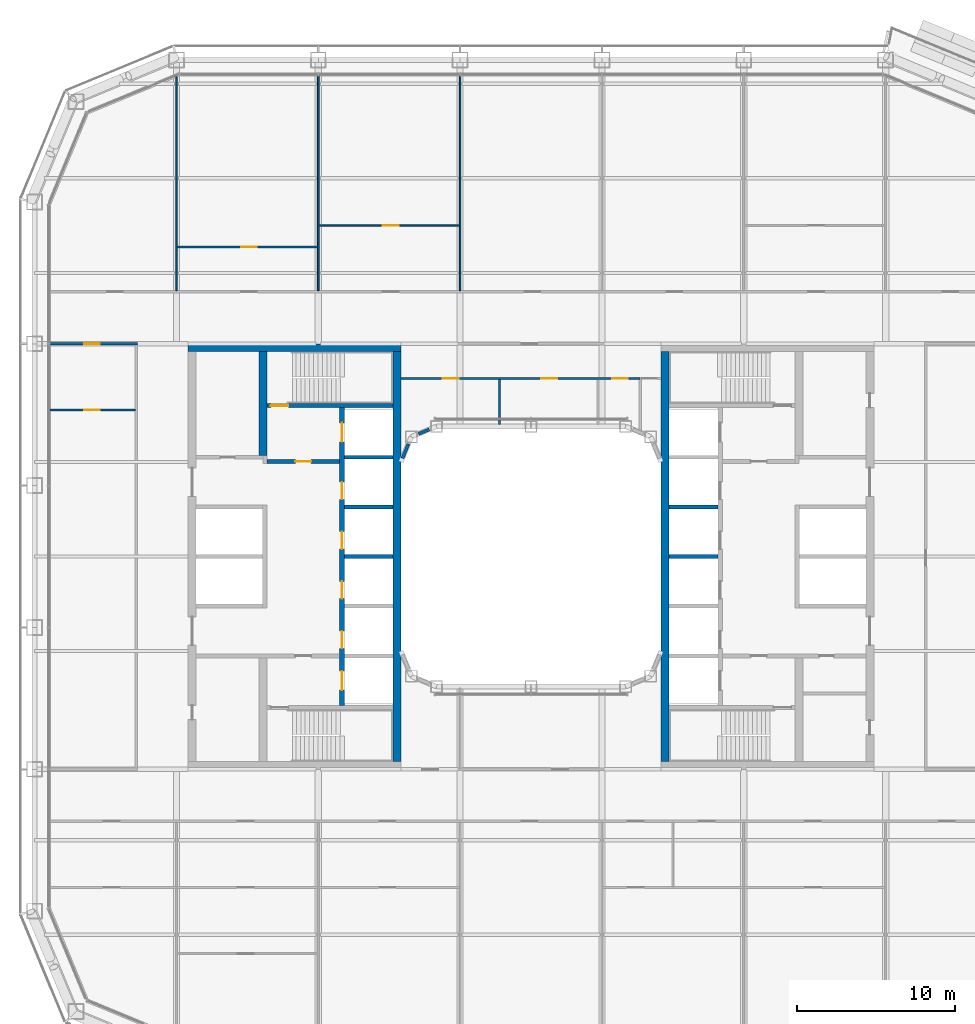
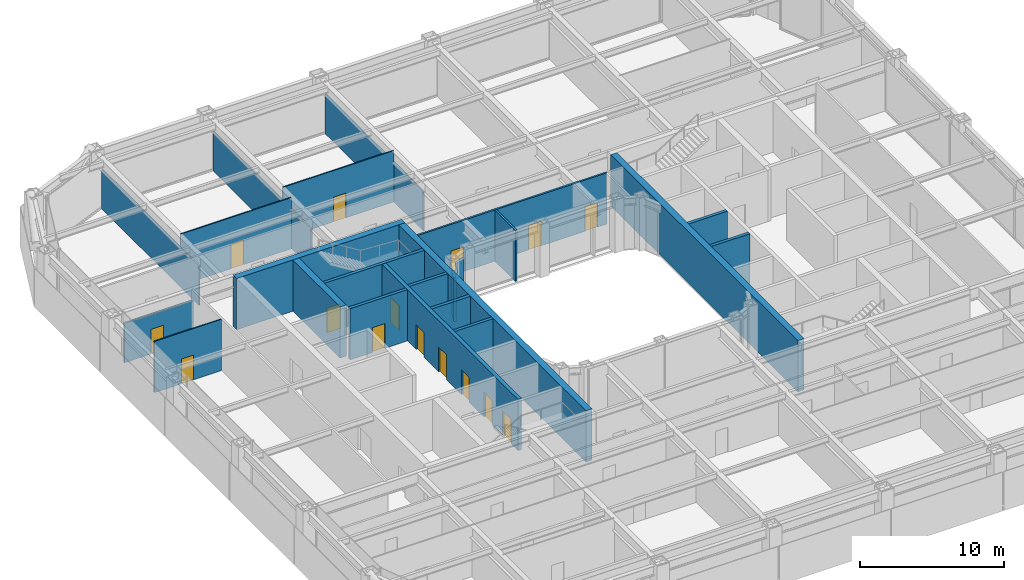
# One storey, part 14 of 30: 23 walls, 15 doors, 15 openings.
"""IFC4 building model written with IfcOpenShell, lengths in metres."""

from ifc_helpers import new_model, si_unit, direction, frame, frame_2d, origin, place, context, subcontext, project, spatial, rectangle, extrude, material, layer, layer_set, type_object, element, fill, save


model = new_model("IFC4")

# Units and contexts
model_context = context("Model", 3, precision=1e-05, world=origin(), true_north=direction((0.0, 1.0)))
body_context = subcontext(model_context, "Body", "Model", "MODEL_VIEW")
ifc_project = project(units=[si_unit("LENGTHUNIT", "METRE"), si_unit("AREAUNIT", "SQUARE_METRE"), si_unit("VOLUMEUNIT", "CUBIC_METRE"), si_unit("PLANEANGLEUNIT", "RADIAN"), si_unit("MASSUNIT", "GRAM", prefix="KILO")], contexts=[model_context])

# Site, building, storey
site_placement = place(None, origin())
site = spatial("IfcSite", under=ifc_project, at=site_placement, CompositionType="ELEMENT")
building_placement = place(site_placement, origin())
building = spatial("IfcBuilding", under=site, at=building_placement, Name="Siwar Civic Tower", CompositionType="ELEMENT")
storey_placement = place(building_placement, frame((0.0, 0.0, 80.699951171875)))
storey = spatial("IfcBuildingStorey", under=building, at=storey_placement, Name="L17", CompositionType="ELEMENT", Elevation=80.699951171875)

# Wall, opening, door
ifc_material_1 = material(Name="Concrete C60/75", Category="concrete")
ifc_layer_1 = layer(ifc_material_1, 0.25)
ifc_layer_set_1 = layer_set([ifc_layer_1], Name="Concrete C60/75")
wall_type_1 = type_object("IfcWallType", Name="CORE-WALL-RC250", PredefinedType="SHEAR", material=ifc_layer_set_1)
wall_1_placement = place(storey_placement, frame((-12.14990234375, 6.02490234375, 0.0), z_axis=(0.0, 0.0, 1.0), x_axis=(-1.0, 0.0, 0.0)))
wall_1 = element("IfcWall", 1, at=wall_1_placement, inside=storey, type_object=wall_type_1, Name="Core wall W", PredefinedType="SHEAR", context=body_context, shape_type="SweptSolid", body=[
    extrude(rectangle(XDim=4.60009765625, YDim=0.25, at=frame_2d((2.300048828125, 0.0))), origin(), (0.0, 0.0, 1.0), 4.35009765625),
])
opening_1_placement = place(wall_1_placement, frame((1.800048828125, 0.0, 0.0)))
opening_1 = element("IfcOpeningElement", 2, at=opening_1_placement, cuts=wall_1, Name="Opening L17-CW01", PredefinedType="OPENING", context=body_context, shape_type="SweptSolid", body=[
    extrude(rectangle(XDim=1.0, YDim=2.10009765625, at=frame_2d((0.5, 1.050048828125))), frame((0.0, 0.135009765625, 0.0), z_axis=(0.0, -1.0, 0.0), x_axis=(1.0, 0.0, 0.0)), (0.0, 0.0, 1.0), 0.27001953125),
])
ifc_material_2 = material(Name="Steel door leaf", Category="steel")
door_type_1 = type_object("IfcDoorType", Name="CORE-DOOR-FD30S", OperationType="SINGLE_SWING_LEFT", PredefinedType="DOOR", material=ifc_material_2)
door_1_placement = place(opening_1_placement, origin())
door_1 = element("IfcDoor", 3, at=door_1_placement, inside=storey, type_object=door_type_1, Name="Firefighting lobby door L17-CW01", OperationType="SINGLE_SWING_LEFT", OverallHeight=2.10009765625, OverallWidth=1.0, PredefinedType="DOOR", context=body_context, shape_type="SweptSolid", body=[
    extrude(rectangle(XDim=1.0, YDim=2.10009765625, at=frame_2d((0.5, 1.050048828125))), frame((0.0, 0.02490234375, 0.0), z_axis=(0.0, -1.0, 0.0), x_axis=(1.0, 0.0, 0.0)), (0.0, 0.0, 1.0), 0.050048828125),
])
fill(opening_1, door_1)

# Walls
for number, where, z_axis, x_axis, name in (
    (4, (-8.75, 0.0, 0.0), (0.0, 0.0, 1.0), (-1.0, 0.0, 0.0), "Core wall W"),
    (5, (-8.75, 3.14990234375, 0.0), (0.0, 0.0, 1.0), (-1.0, 0.0, 0.0), "Core wall W"),
    (6, (-8.75, 6.300048828125, 0.0), (0.0, 0.0, 1.0), (-1.0, 0.0, 0.0), "Core wall W"),
):
    element("IfcWall", number, at=place(storey_placement, frame(where, z_axis=z_axis, x_axis=x_axis)), inside=storey, type_object=wall_type_1, Name=name, PredefinedType="SHEAR", context=body_context, shape_type="SweptSolid", body=[
        extrude(rectangle(XDim=3.10009765625, YDim=0.25, at=frame_2d((1.550048828125, 0.0))), origin(), (0.0, 0.0, 1.0), 4.35009765625),
    ])

# Wall, opening, door
wall_2_placement = place(storey_placement, frame((-8.75, 9.574951171875, 0.0), z_axis=(0.0, 0.0, 1.0), x_axis=(-1.0, 0.0, 0.0)))
wall_2 = element("IfcWall", 7, at=wall_2_placement, inside=storey, type_object=wall_type_1, Name="Core wall W", PredefinedType="SHEAR", context=body_context, shape_type="SweptSolid", body=[
    extrude(rectangle(XDim=8.0, YDim=0.25, at=frame_2d((4.0, 0.0))), origin(), (0.0, 0.0, 1.0), 4.35009765625),
])
opening_2_placement = place(wall_2_placement, frame((6.64990234375, 0.0, 0.0)))
opening_2 = element("IfcOpeningElement", 8, at=opening_2_placement, cuts=wall_2, Name="Opening L17-CW03", PredefinedType="OPENING", context=body_context, shape_type="SweptSolid", body=[
    extrude(rectangle(XDim=1.10009765625, YDim=2.10009765625, at=frame_2d((0.550048828125, 1.050048828125))), frame((0.0, 0.135009765625, 0.0), z_axis=(0.0, -1.0, 0.0), x_axis=(1.0, 0.0, 0.0)), (0.0, 0.0, 1.0), 0.27001953125),
])
ifc_material_3 = material(Name="Steel door leaf", Category="steel")
door_type_2 = type_object("IfcDoorType", Name="CORE-DOOR-FD60S", OperationType="SINGLE_SWING_LEFT", PredefinedType="DOOR", material=ifc_material_3)
door_2_placement = place(opening_2_placement, origin())
door_2 = element("IfcDoor", 9, at=door_2_placement, inside=storey, type_object=door_type_2, Name="Stair door L17-CW03", OperationType="SINGLE_SWING_RIGHT", OverallHeight=2.10009765625, OverallWidth=1.10009765625, PredefinedType="DOOR", context=body_context, shape_type="SweptSolid", body=[
    extrude(rectangle(XDim=1.10009765625, YDim=2.10009765625, at=frame_2d((0.550048828125, 1.050048828125))), frame((0.0, 0.02490234375, 0.0), z_axis=(0.0, -1.0, 0.0), x_axis=(1.0, 0.0, 0.0)), (0.0, 0.0, 1.0), 0.050048828125),
])
fill(opening_2, door_2)

# Walls
for number, where, z_axis, x_axis, name in (
    (10, (8.75, 0.0, 0.0), (0.0, 0.0, 1.0), (1.0, 0.0, 0.0), "Core wall E"),
    (11, (8.75, 3.14990234375, 0.0), (0.0, 0.0, 1.0), (1.0, 0.0, 0.0), "Core wall E"),
):
    element("IfcWall", number, at=place(storey_placement, frame(where, z_axis=z_axis, x_axis=x_axis)), inside=storey, type_object=wall_type_1, Name=name, PredefinedType="SHEAR", context=body_context, shape_type="SweptSolid", body=[
        extrude(rectangle(XDim=3.10009765625, YDim=0.25, at=frame_2d((1.550048828125, 0.0))), origin(), (0.0, 0.0, 1.0), 4.35009765625),
    ])

# Wall, openings, doors
ifc_material_4 = material(Name="Concrete C60/75", Category="concrete")
ifc_layer_2 = layer(ifc_material_4, 0.300048828125)
ifc_layer_set_2 = layer_set([ifc_layer_2], Name="Concrete C60/75")
wall_type_2 = type_object("IfcWallType", Name="CORE-WALL-RC300", PredefinedType="SHEAR", material=ifc_layer_set_2)
wall_3_placement = place(storey_placement, frame((-12.0, -9.449951171875, 0.0), z_axis=(0.0, 0.0, 1.0), x_axis=(0.0, 1.0, 0.0)))
wall_3 = element("IfcWall", 12, at=wall_3_placement, inside=storey, type_object=wall_type_2, Name="Core wall W", PredefinedType="SHEAR", context=body_context, shape_type="SweptSolid", body=[
    extrude(rectangle(XDim=18.89990234375, YDim=0.300048828125, at=frame_2d((9.449951171875, 0.0))), origin(), (0.0, 0.0, 1.0), 4.35009765625),
])
opening_3_placement = place(wall_3_placement, frame((3.625, 0.0, 0.0)))
opening_3 = element("IfcOpeningElement", 13, at=opening_3_placement, cuts=wall_3, Name="Opening L17-CW07", PredefinedType="OPENING", context=body_context, shape_type="SweptSolid", body=[
    extrude(rectangle(XDim=1.10009765625, YDim=2.10009765625, at=frame_2d((0.550048828125, 1.050048828125))), frame((0.0, 0.16015625, 0.0), z_axis=(0.0, -1.0, 0.0), x_axis=(1.0, 0.0, 0.0)), (0.0, 0.0, 1.0), 0.320068359375),
])
opening_4_placement = place(wall_3_placement, frame((6.77490234375, 0.0, 0.0)))
opening_4 = element("IfcOpeningElement", 14, at=opening_4_placement, cuts=wall_3, Name="Opening L17-CW08", PredefinedType="OPENING", context=body_context, shape_type="SweptSolid", body=[
    extrude(rectangle(XDim=1.10009765625, YDim=2.10009765625, at=frame_2d((0.550048828125, 1.050048828125))), frame((0.0, 0.16015625, 0.0), z_axis=(0.0, -1.0, 0.0), x_axis=(1.0, 0.0, 0.0)), (0.0, 0.0, 1.0), 0.320068359375),
])
opening_5_placement = place(wall_3_placement, frame((9.925048828125, 0.0, 0.0)))
opening_5 = element("IfcOpeningElement", 15, at=opening_5_placement, cuts=wall_3, Name="Opening L17-CW09", PredefinedType="OPENING", context=body_context, shape_type="SweptSolid", body=[
    extrude(rectangle(XDim=1.10009765625, YDim=2.10009765625, at=frame_2d((0.550048828125, 1.050048828125))), frame((0.0, 0.16015625, 0.0), z_axis=(0.0, -1.0, 0.0), x_axis=(1.0, 0.0, 0.0)), (0.0, 0.0, 1.0), 0.320068359375),
])
opening_6_placement = place(wall_3_placement, frame((13.074951171875, 0.0, 0.0)))
opening_6 = element("IfcOpeningElement", 16, at=opening_6_placement, cuts=wall_3, Name="Opening L17-CW10", PredefinedType="OPENING", context=body_context, shape_type="SweptSolid", body=[
    extrude(rectangle(XDim=1.10009765625, YDim=2.10009765625, at=frame_2d((0.550048828125, 1.050048828125))), frame((0.0, 0.16015625, 0.0), z_axis=(0.0, -1.0, 0.0), x_axis=(1.0, 0.0, 0.0)), (0.0, 0.0, 1.0), 0.320068359375),
])
opening_7_placement = place(wall_3_placement, frame((16.72509765625, 0.0, 0.0)))
opening_7 = element("IfcOpeningElement", 17, at=opening_7_placement, cuts=wall_3, Name="Opening L17-CW11", PredefinedType="OPENING", context=body_context, shape_type="SweptSolid", body=[
    extrude(rectangle(XDim=1.199951171875, YDim=2.10009765625, at=frame_2d((0.60009765625, 1.050048828125))), frame((0.0, 0.16015625, 0.0), z_axis=(0.0, -1.0, 0.0), x_axis=(1.0, 0.0, 0.0)), (0.0, 0.0, 1.0), 0.320068359375),
])
opening_8_placement = place(wall_3_placement, frame((0.97509765625, 0.0, 0.0)))
opening_8 = element("IfcOpeningElement", 18, at=opening_8_placement, cuts=wall_3, Name="Opening L17-CW12", PredefinedType="OPENING", context=body_context, shape_type="SweptSolid", body=[
    extrude(rectangle(XDim=1.199951171875, YDim=2.10009765625, at=frame_2d((0.60009765625, 1.050048828125))), frame((0.0, 0.16015625, 0.0), z_axis=(0.0, -1.0, 0.0), x_axis=(1.0, 0.0, 0.0)), (0.0, 0.0, 1.0), 0.320068359375),
])
ifc_material_5 = material(Name="Steel door leaf", Category="steel")
door_type_3 = type_object("IfcDoorType", Name="CORE-DOOR-LD", OperationType="DOUBLE_DOOR_SLIDING", PredefinedType="DOOR", material=ifc_material_5)
door_3_placement = place(opening_3_placement, origin())
door_3 = element("IfcDoor", 19, at=door_3_placement, inside=storey, type_object=door_type_3, Name="Landing door LR1 L17-CW07", OperationType="DOUBLE_DOOR_SLIDING", OverallHeight=2.10009765625, OverallWidth=1.10009765625, PredefinedType="DOOR", context=body_context, shape_type="SweptSolid", body=[
    extrude(rectangle(XDim=1.10009765625, YDim=2.10009765625, at=frame_2d((0.550048828125, 1.050048828125))), frame((0.0, 0.02490234375, 0.0), z_axis=(0.0, -1.0, 0.0), x_axis=(1.0, 0.0, 0.0)), (0.0, 0.0, 1.0), 0.050048828125),
])
fill(opening_3, door_3)
door_4_placement = place(opening_4_placement, origin())
door_4 = element("IfcDoor", 20, at=door_4_placement, inside=storey, type_object=door_type_3, Name="Landing door LR2 L17-CW08", OperationType="DOUBLE_DOOR_SLIDING", OverallHeight=2.10009765625, OverallWidth=1.10009765625, PredefinedType="DOOR", context=body_context, shape_type="SweptSolid", body=[
    extrude(rectangle(XDim=1.10009765625, YDim=2.10009765625, at=frame_2d((0.550048828125, 1.050048828125))), frame((0.0, 0.02490234375, 0.0), z_axis=(0.0, -1.0, 0.0), x_axis=(1.0, 0.0, 0.0)), (0.0, 0.0, 1.0), 0.050048828125),
])
fill(opening_4, door_4)
door_5_placement = place(opening_5_placement, origin())
door_5 = element("IfcDoor", 21, at=door_5_placement, inside=storey, type_object=door_type_3, Name="Landing door LR3 L17-CW09", OperationType="DOUBLE_DOOR_SLIDING", OverallHeight=2.10009765625, OverallWidth=1.10009765625, PredefinedType="DOOR", context=body_context, shape_type="SweptSolid", body=[
    extrude(rectangle(XDim=1.10009765625, YDim=2.10009765625, at=frame_2d((0.550048828125, 1.050048828125))), frame((0.0, 0.02490234375, 0.0), z_axis=(0.0, -1.0, 0.0), x_axis=(1.0, 0.0, 0.0)), (0.0, 0.0, 1.0), 0.050048828125),
])
fill(opening_5, door_5)
door_6_placement = place(opening_6_placement, origin())
door_6 = element("IfcDoor", 22, at=door_6_placement, inside=storey, type_object=door_type_3, Name="Landing door LR4 L17-CW10", OperationType="DOUBLE_DOOR_SLIDING", OverallHeight=2.10009765625, OverallWidth=1.10009765625, PredefinedType="DOOR", context=body_context, shape_type="SweptSolid", body=[
    extrude(rectangle(XDim=1.10009765625, YDim=2.10009765625, at=frame_2d((0.550048828125, 1.050048828125))), frame((0.0, 0.02490234375, 0.0), z_axis=(0.0, -1.0, 0.0), x_axis=(1.0, 0.0, 0.0)), (0.0, 0.0, 1.0), 0.050048828125),
])
fill(opening_6, door_6)
ifc_material_6 = material(Name="Steel door leaf", Category="steel")
door_type_4 = type_object("IfcDoorType", Name="CORE-DOOR-LDW", OperationType="DOUBLE_DOOR_SLIDING", PredefinedType="DOOR", material=ifc_material_6)
door_7_placement = place(opening_7_placement, origin())
door_7 = element("IfcDoor", 23, at=door_7_placement, inside=storey, type_object=door_type_4, Name="Landing door FF1 L17-CW11", OperationType="DOUBLE_DOOR_SLIDING", OverallHeight=2.10009765625, OverallWidth=1.199951171875, PredefinedType="DOOR", context=body_context, shape_type="SweptSolid", body=[
    extrude(rectangle(XDim=1.199951171875, YDim=2.10009765625, at=frame_2d((0.60009765625, 1.050048828125))), frame((0.0, 0.02490234375, 0.0), z_axis=(0.0, -1.0, 0.0), x_axis=(1.0, 0.0, 0.0)), (0.0, 0.0, 1.0), 0.050048828125),
])
fill(opening_7, door_7)
door_8_placement = place(opening_8_placement, origin())
door_8 = element("IfcDoor", 24, at=door_8_placement, inside=storey, type_object=door_type_4, Name="Landing door SV1 L17-CW12", OperationType="DOUBLE_DOOR_SLIDING", OverallHeight=2.10009765625, OverallWidth=1.199951171875, PredefinedType="DOOR", context=body_context, shape_type="SweptSolid", body=[
    extrude(rectangle(XDim=1.199951171875, YDim=2.10009765625, at=frame_2d((0.60009765625, 1.050048828125))), frame((0.0, 0.02490234375, 0.0), z_axis=(0.0, -1.0, 0.0), x_axis=(1.0, 0.0, 0.0)), (0.0, 0.0, 1.0), 0.050048828125),
])
fill(opening_8, door_8)

# Walls
ifc_material_7 = material(Name="Concrete C60/75", Category="concrete")
ifc_layer_3 = layer(ifc_material_7, 0.5)
ifc_layer_set_3 = layer_set([ifc_layer_3], Name="Concrete C60/75")
wall_type_3 = type_object("IfcWallType", Name="CORE-WALL-RC500", PredefinedType="SHEAR", material=ifc_layer_set_3)
wall_4_placement = place(storey_placement, frame((-17.0, 6.425048828125, 0.0), z_axis=(0.0, 0.0, 1.0), x_axis=(0.0, 1.0, 0.0)))
element("IfcWall", 25, at=wall_4_placement, inside=storey, type_object=wall_type_3, Name="Core wall W", PredefinedType="SHEAR", context=body_context, shape_type="SweptSolid", body=[
    extrude(rectangle(XDim=6.574951171875, YDim=0.5, at=frame_2d((3.28759765625, 0.0))), origin(), (0.0, 0.0, 1.0), 4.35009765625),
])
wall_5_placement = place(storey_placement, frame((-8.25, 13.25, 0.0), z_axis=(0.0, 0.0, 1.0), x_axis=(-1.0, 0.0, 0.0)))
element("IfcWall", 26, at=wall_5_placement, inside=storey, type_object=wall_type_3, Name="Core wall W", PredefinedType="SHEAR", context=body_context, shape_type="SweptSolid", body=[
    extrude(rectangle(XDim=13.5, YDim=0.5, at=frame_2d((6.75, 0.0))), origin(), (0.0, 0.0, 1.0), 4.35009765625),
])
ifc_material_8 = material(Name="Concrete C60/75", Category="concrete")
ifc_layer_4 = layer(ifc_material_8, 0.5)
ifc_layer_set_4 = layer_set([ifc_layer_4], Name="Concrete C60/75")
wall_type_4 = type_object("IfcWallType", Name="CORE-WALL-RC500-EXT", PredefinedType="SHEAR", material=ifc_layer_set_4)
for number, where, z_axis, x_axis, name in (
    (27, (-8.5, -13.0, 0.0), (0.0, 0.0, 1.0), (0.0, 1.0, 0.0), "Core wall W"),
    (28, (8.5, -13.0, 0.0), (0.0, 0.0, 1.0), (0.0, 1.0, 0.0), "Core wall E"),
):
    element("IfcWall", number, at=place(storey_placement, frame(where, z_axis=z_axis, x_axis=x_axis)), inside=storey, type_object=wall_type_4, Name=name, PredefinedType="SHEAR", context=body_context, shape_type="SweptSolid", body=[
        extrude(rectangle(XDim=26.0, YDim=0.5, at=frame_2d((13.0, 0.0))), origin(), (0.0, 0.0, 1.0), 4.35009765625),
    ])

# Wall, openings, doors
ifc_material_9 = material(Name="Gypsum board on steel studs", Category="steel")
ifc_layer_5 = layer(ifc_material_9, 0.14990234375)
ifc_layer_set_5 = layer_set([ifc_layer_5], Name="Gypsum board on steel studs")
wall_type_5 = type_object("IfcWallType", Name="CORRIDOR PARTITION 150 EI 30", PredefinedType="PARTITIONING", material=ifc_layer_set_5)
wall_6_placement = place(storey_placement, frame((-8.25, 11.300048828125, 0.0), z_axis=(0.0, 0.0, 1.0), x_axis=(1.0, 0.0, 0.0)))
wall_6 = element("IfcWall", 29, at=wall_6_placement, inside=storey, type_object=wall_type_5, Name="L17/wall/P09", PredefinedType="PARTITIONING", context=body_context, shape_type="SweptSolid", body=[
    extrude(rectangle(XDim=15.169921875, YDim=0.14990234375, at=frame_2d((7.5849609375, 0.0))), origin(), (0.0, 0.0, 1.0), 4.35009765625),
])
opening_9_placement = place(wall_6_placement, frame((2.64990234375, 0.0, 0.0)))
opening_9 = element("IfcOpeningElement", 30, at=opening_9_placement, cuts=wall_6, Name="Opening D3", PredefinedType="OPENING", context=body_context, shape_type="SweptSolid", body=[
    extrude(rectangle(XDim=1.0, YDim=2.10009765625, at=frame_2d((0.5, 1.050048828125))), frame((0.0, 0.0849609375, 0.0), z_axis=(0.0, -1.0, 0.0), x_axis=(1.0, 0.0, 0.0)), (0.0, 0.0, 1.0), 0.169921875),
])
opening_10_placement = place(wall_6_placement, frame((8.89990234375, 0.0, 0.0)))
opening_10 = element("IfcOpeningElement", 31, at=opening_10_placement, cuts=wall_6, Name="Opening D3", PredefinedType="OPENING", context=body_context, shape_type="SweptSolid", body=[
    extrude(rectangle(XDim=1.0, YDim=2.10009765625, at=frame_2d((0.5, 1.050048828125))), frame((0.0, 0.0849609375, 0.0), z_axis=(0.0, -1.0, 0.0), x_axis=(1.0, 0.0, 0.0)), (0.0, 0.0, 1.0), 0.169921875),
])
opening_11_placement = place(wall_6_placement, frame((13.39990234375, 0.0, 0.0)))
opening_11 = element("IfcOpeningElement", 32, at=opening_11_placement, cuts=wall_6, Name="Opening D3", PredefinedType="OPENING", context=body_context, shape_type="SweptSolid", body=[
    extrude(rectangle(XDim=1.0, YDim=2.10009765625, at=frame_2d((0.5, 1.050048828125))), frame((0.0, 0.0849609375, 0.0), z_axis=(0.0, -1.0, 0.0), x_axis=(1.0, 0.0, 0.0)), (0.0, 0.0, 1.0), 0.169921875),
])
ifc_material_10 = material(Name="Timber, painted", Category="wood")
door_type_5 = type_object("IfcDoorType", Name="DOOR 1000 X 2100 WC", OperationType="SINGLE_SWING_LEFT", PredefinedType="DOOR", material=ifc_material_10)
door_9_placement = place(opening_9_placement, origin())
door_9 = element("IfcDoor", 33, at=door_9_placement, inside=storey, type_object=door_type_5, Name="L17-D29", OperationType="SINGLE_SWING_LEFT", OverallHeight=2.10009765625, OverallWidth=1.0, PredefinedType="DOOR", context=body_context, shape_type="SweptSolid", body=[
    extrude(rectangle(XDim=1.0, YDim=2.10009765625, at=frame_2d((0.5, 1.050048828125))), frame((0.0, 0.02490234375, 0.0), z_axis=(0.0, -1.0, 0.0), x_axis=(1.0, 0.0, 0.0)), (0.0, 0.0, 1.0), 0.050048828125),
])
fill(opening_9, door_9)
door_10_placement = place(opening_10_placement, origin())
door_10 = element("IfcDoor", 34, at=door_10_placement, inside=storey, type_object=door_type_5, Name="L17-D30", OperationType="SINGLE_SWING_RIGHT", OverallHeight=2.10009765625, OverallWidth=1.0, PredefinedType="DOOR", context=body_context, shape_type="SweptSolid", body=[
    extrude(rectangle(XDim=1.0, YDim=2.10009765625, at=frame_2d((0.5, 1.050048828125))), frame((0.0, 0.02490234375, 0.0), z_axis=(0.0, -1.0, 0.0), x_axis=(1.0, 0.0, 0.0)), (0.0, 0.0, 1.0), 0.050048828125),
])
fill(opening_10, door_10)
door_11_placement = place(opening_11_placement, origin())
door_11 = element("IfcDoor", 35, at=door_11_placement, inside=storey, type_object=door_type_5, Name="L17-D31", OperationType="SINGLE_SWING_LEFT", OverallHeight=2.10009765625, OverallWidth=1.0, PredefinedType="DOOR", context=body_context, shape_type="SweptSolid", body=[
    extrude(rectangle(XDim=1.0, YDim=2.10009765625, at=frame_2d((0.5, 1.050048828125))), frame((0.0, 0.02490234375, 0.0), z_axis=(0.0, -1.0, 0.0), x_axis=(1.0, 0.0, 0.0)), (0.0, 0.0, 1.0), 0.050048828125),
])
fill(opening_11, door_11)

# Wall, opening, door
wall_7_placement = place(storey_placement, frame((-30.510009765625, 13.5, 0.0), z_axis=(0.0, 0.0, 1.0), x_axis=(1.0, 0.0, 0.0)))
wall_7 = element("IfcWall", 36, at=wall_7_placement, inside=storey, type_object=wall_type_5, Name="L17/wall/P11", PredefinedType="PARTITIONING", context=body_context, shape_type="SweptSolid", body=[
    extrude(rectangle(XDim=5.534912109375, YDim=0.14990234375, at=frame_2d((2.767578125, 0.0))), origin(), (0.0, 0.0, 1.0), 3.35009765625),
])
opening_12_placement = place(wall_7_placement, frame((2.14990234375, 0.0, 0.0)))
opening_12 = element("IfcOpeningElement", 37, at=opening_12_placement, cuts=wall_7, Name="Opening D1", PredefinedType="OPENING", context=body_context, shape_type="SweptSolid", body=[
    extrude(rectangle(XDim=1.0, YDim=2.10009765625, at=frame_2d((0.5, 1.050048828125))), frame((0.0, 0.0849609375, 0.0), z_axis=(0.0, -1.0, 0.0), x_axis=(1.0, 0.0, 0.0)), (0.0, 0.0, 1.0), 0.169921875),
])
ifc_material_11 = material(Name="Timber, painted", Category="wood")
door_type_6 = type_object("IfcDoorType", Name="DOOR 1000 X 2100 FD30", OperationType="SINGLE_SWING_LEFT", PredefinedType="DOOR", material=ifc_material_11)
door_12_placement = place(opening_12_placement, origin())
door_12 = element("IfcDoor", 38, at=door_12_placement, inside=storey, type_object=door_type_6, Name="L17-D25", OperationType="SINGLE_SWING_LEFT", OverallHeight=2.10009765625, OverallWidth=1.0, PredefinedType="DOOR", context=body_context, shape_type="SweptSolid", body=[
    extrude(rectangle(XDim=1.0, YDim=2.10009765625, at=frame_2d((0.5, 1.050048828125))), frame((0.0, 0.02490234375, 0.0), z_axis=(0.0, -1.0, 0.0), x_axis=(1.0, 0.0, 0.0)), (0.0, 0.0, 1.0), 0.050048828125),
])
fill(opening_12, door_12)

# Walls
wall_8_placement = place(storey_placement, frame((-2.0, 8.3701171875, 0.0), z_axis=(0.0, 0.0, 1.0), x_axis=(0.0, 1.0, 0.0)))
element("IfcWall", 39, at=wall_8_placement, inside=storey, type_object=wall_type_5, Name="L17/wall/P28", PredefinedType="PARTITIONING", context=body_context, shape_type="SweptSolid", body=[
    extrude(rectangle(XDim=2.85498046875, YDim=0.14990234375, at=frame_2d((1.427490234375, 0.0))), origin(), (0.0, 0.0, 1.0), 4.35009765625),
])
ifc_material_12 = material(Name="Aluminium clad insulated panel", Category="aluminium")
ifc_layer_6 = layer(ifc_material_12, 0.199951171875)
ifc_layer_set_6 = layer_set([ifc_layer_6], Name="Aluminium clad insulated panel")
wall_type_6 = type_object("IfcWallType", Name="ENV-WALL-WELL", PredefinedType="STANDARD", material=ifc_layer_set_6)
wall_9_placement = place(storey_placement, frame((-6.45263671875, 8.0625, 0.0), z_axis=(0.0, 0.0, 1.0), x_axis=(-0.923940677943, -0.382535780864, 0.0)))
element("IfcWall", 40, at=wall_9_placement, inside=storey, type_object=wall_type_6, Name="Light well corner wall NW1", PredefinedType="STANDARD", context=body_context, shape_type="SweptSolid", body=[
    extrude(rectangle(XDim=0.7421875, YDim=0.199951171875, at=frame_2d((0.37109375, 0.0))), origin(), (0.0, 0.0, 1.0), 3.72998046875),
])
wall_10_placement = place(storey_placement, frame((-7.778564453125, 7.138427734375, 0.0), z_axis=(0.0, 0.0, 1.0), x_axis=(-0.382549378284, -0.923935048136, 0.0)))
element("IfcWall", 41, at=wall_10_placement, inside=storey, type_object=wall_type_6, Name="Light well corner wall NW2", PredefinedType="STANDARD", context=body_context, shape_type="SweptSolid", body=[
    extrude(rectangle(XDim=0.982177734375, YDim=0.199951171875, at=frame_2d((0.4912109375, 0.0))), origin(), (0.0, 0.0, 1.0), 3.72998046875),
])

# Wall, opening, door
ifc_material_13 = material(Name="Gypsum board on steel studs", Category="steel")
ifc_layer_7 = layer(ifc_material_13, 0.10009765625)
ifc_layer_set_7 = layer_set([ifc_layer_7], Name="Gypsum board on steel studs")
wall_type_7 = type_object("IfcWallType", Name="PARTITION 100 GYPSUM", PredefinedType="PARTITIONING", material=ifc_layer_set_7)
wall_11_placement = place(storey_placement, frame((-30.510009765625, 9.300048828125, 0.0), z_axis=(0.0, 0.0, 1.0), x_axis=(1.0, 0.0, 0.0)))
wall_11 = element("IfcWall", 42, at=wall_11_placement, inside=storey, type_object=wall_type_7, Name="L17/wall/P08", PredefinedType="PARTITIONING", context=body_context, shape_type="SweptSolid", body=[
    extrude(rectangle(XDim=5.385009765625, YDim=0.10009765625, at=frame_2d((2.6923828125, 0.0))), origin(), (0.0, 0.0, 1.0), 4.35009765625),
])
opening_13_placement = place(wall_11_placement, frame((2.14990234375, 0.0, 0.0)))
opening_13 = element("IfcOpeningElement", 43, at=opening_13_placement, cuts=wall_11, Name="Opening D2", PredefinedType="OPENING", context=body_context, shape_type="SweptSolid", body=[
    extrude(rectangle(XDim=1.0, YDim=2.10009765625, at=frame_2d((0.5, 1.050048828125))), frame((0.0, 0.06005859375, 0.0), z_axis=(0.0, -1.0, 0.0), x_axis=(1.0, 0.0, 0.0)), (0.0, 0.0, 1.0), 0.1201171875),
])
ifc_material_14 = material(Name="Timber, painted", Category="wood")
door_type_7 = type_object("IfcDoorType", Name="DOOR 1000 X 2100", OperationType="SINGLE_SWING_LEFT", PredefinedType="DOOR", material=ifc_material_14)
door_13_placement = place(opening_13_placement, origin())
door_13 = element("IfcDoor", 44, at=door_13_placement, inside=storey, type_object=door_type_7, Name="L17-D26", OperationType="SINGLE_SWING_RIGHT", OverallHeight=2.10009765625, OverallWidth=1.0, PredefinedType="DOOR", context=body_context, shape_type="SweptSolid", body=[
    extrude(rectangle(XDim=1.0, YDim=2.10009765625, at=frame_2d((0.5, 1.050048828125))), frame((0.0, 0.02490234375, 0.0), z_axis=(0.0, -1.0, 0.0), x_axis=(1.0, 0.0, 0.0)), (0.0, 0.0, 1.0), 0.050048828125),
])
fill(opening_13, door_13)

wall_12_placement = place(storey_placement, frame((-22.449951171875, 19.639892578125, 0.0), z_axis=(0.0, 0.0, 1.0), x_axis=(1.0, 0.0, 0.0)))
wall_12 = element("IfcWall", 45, at=wall_12_placement, inside=storey, type_object=wall_type_7, Name="L17/wall/P15", PredefinedType="PARTITIONING", context=body_context, shape_type="SweptSolid", body=[
    extrude(rectangle(XDim=8.89990234375, YDim=0.10009765625, at=frame_2d((4.449951171875, 0.0))), origin(), (0.0, 0.0, 1.0), 4.35009765625),
])
opening_14_placement = place(wall_12_placement, frame((4.050048828125, 0.0, 0.0)))
opening_14 = element("IfcOpeningElement", 46, at=opening_14_placement, cuts=wall_12, Name="Opening D2", PredefinedType="OPENING", context=body_context, shape_type="SweptSolid", body=[
    extrude(rectangle(XDim=1.0, YDim=2.10009765625, at=frame_2d((0.5, 1.050048828125))), frame((0.0, 0.06005859375, 0.0), z_axis=(0.0, -1.0, 0.0), x_axis=(1.0, 0.0, 0.0)), (0.0, 0.0, 1.0), 0.1201171875),
])
door_14_placement = place(opening_14_placement, origin())
door_14 = element("IfcDoor", 47, at=door_14_placement, inside=storey, type_object=door_type_7, Name="L17-D02", OperationType="SINGLE_SWING_RIGHT", OverallHeight=2.10009765625, OverallWidth=1.0, PredefinedType="DOOR", context=body_context, shape_type="SweptSolid", body=[
    extrude(rectangle(XDim=1.0, YDim=2.10009765625, at=frame_2d((0.5, 1.050048828125))), frame((0.0, 0.02490234375, 0.0), z_axis=(0.0, -1.0, 0.0), x_axis=(1.0, 0.0, 0.0)), (0.0, 0.0, 1.0), 0.050048828125),
])
fill(opening_14, door_14)

wall_13_placement = place(storey_placement, frame((-13.449951171875, 21.0, 0.0), z_axis=(0.0, 0.0, 1.0), x_axis=(1.0, 0.0, 0.0)))
wall_13 = element("IfcWall", 48, at=wall_13_placement, inside=storey, type_object=wall_type_7, Name="L17/wall/P16", PredefinedType="PARTITIONING", context=body_context, shape_type="SweptSolid", body=[
    extrude(rectangle(XDim=8.89990234375, YDim=0.10009765625, at=frame_2d((4.449951171875, 0.0))), origin(), (0.0, 0.0, 1.0), 4.35009765625),
])
opening_15_placement = place(wall_13_placement, frame((4.050048828125, 0.0, 0.0)))
opening_15 = element("IfcOpeningElement", 49, at=opening_15_placement, cuts=wall_13, Name="Opening D2", PredefinedType="OPENING", context=body_context, shape_type="SweptSolid", body=[
    extrude(rectangle(XDim=1.0, YDim=2.10009765625, at=frame_2d((0.5, 1.050048828125))), frame((0.0, 0.06005859375, 0.0), z_axis=(0.0, -1.0, 0.0), x_axis=(1.0, 0.0, 0.0)), (0.0, 0.0, 1.0), 0.1201171875),
])
door_15_placement = place(opening_15_placement, origin())
door_15 = element("IfcDoor", 50, at=door_15_placement, inside=storey, type_object=door_type_7, Name="L17-D04", OperationType="SINGLE_SWING_RIGHT", OverallHeight=2.10009765625, OverallWidth=1.0, PredefinedType="DOOR", context=body_context, shape_type="SweptSolid", body=[
    extrude(rectangle(XDim=1.0, YDim=2.10009765625, at=frame_2d((0.5, 1.050048828125))), frame((0.0, 0.02490234375, 0.0), z_axis=(0.0, -1.0, 0.0), x_axis=(1.0, 0.0, 0.0)), (0.0, 0.0, 1.0), 0.050048828125),
])
fill(opening_15, door_15)

# Walls
wall_14_placement = place(storey_placement, frame((-22.5, 16.875, 0.0), z_axis=(0.0, 0.0, 1.0), x_axis=(0.0, 1.0, 0.0)))
element("IfcWall", 51, at=wall_14_placement, inside=storey, type_object=wall_type_7, Name="L17/wall/P21", PredefinedType="PARTITIONING", context=body_context, shape_type="SweptSolid", body=[
    extrude(rectangle(XDim=13.552978515625, YDim=0.10009765625, at=frame_2d((6.7763671875, 0.0))), origin(), (0.0, 0.0, 1.0), 3.35009765625),
])
for number, where, z_axis, x_axis, name in (
    (52, (-13.5, 16.875, 0.0), (0.0, 0.0, 1.0), (0.0, 1.0, 0.0), "L17/wall/P24"),
    (53, (-4.5, 16.875, 0.0), (0.0, 0.0, 1.0), (0.0, 1.0, 0.0), "L17/wall/P27"),
):
    element("IfcWall", number, at=place(storey_placement, frame(where, z_axis=z_axis, x_axis=x_axis)), inside=storey, type_object=wall_type_7, Name=name, PredefinedType="PARTITIONING", context=body_context, shape_type="SweptSolid", body=[
        extrude(rectangle(XDim=13.635009765625, YDim=0.10009765625, at=frame_2d((6.8173828125, 0.0))), origin(), (0.0, 0.0, 1.0), 3.35009765625),
    ])

save(model, "model.ifc")
